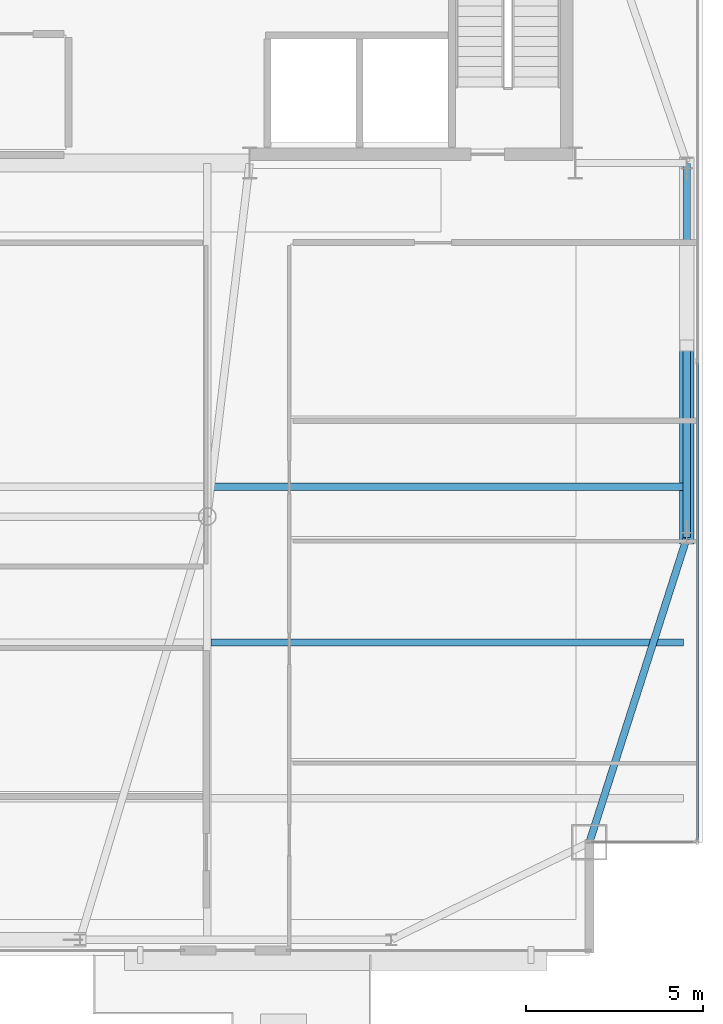
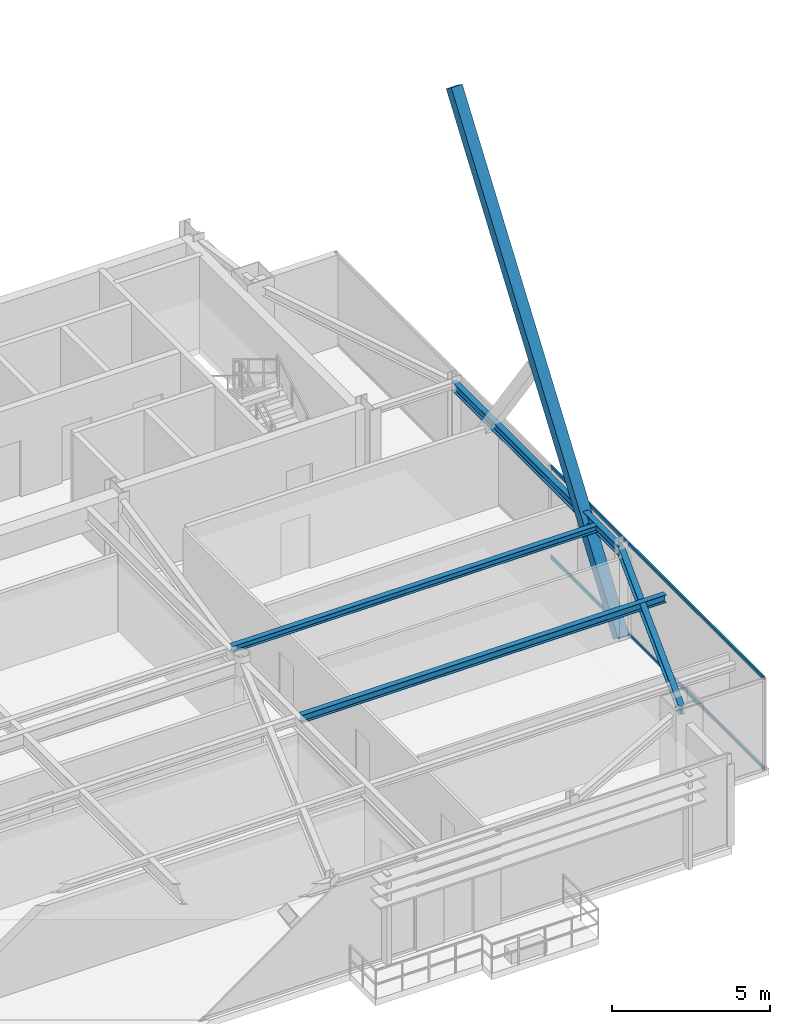
# One storey, part 13 of 25: 4 beams, 3 members, 1 element without a shape of its own.
"""IFC4 building model written with IfcOpenShell, lengths in metres."""

from ifc_helpers import new_model, si_unit, direction, frame, origin, origin_2d, place, context, subcontext, project, spatial, hollow_rectangle, i_section, extrude, source, transform, mapped, material, layer, layer_set, material_profile, profile_set, type_object, type_shapes, element, aggregate, save


model = new_model("IFC4")

# Units and contexts
model_context = context("Model", 3, precision=1e-05, world=origin(), true_north=direction((0.0, 1.0)))
body_context = subcontext(model_context, "Body", "Model", "MODEL_VIEW")
ifc_project = project(units=[si_unit("LENGTHUNIT", "METRE"), si_unit("AREAUNIT", "SQUARE_METRE"), si_unit("VOLUMEUNIT", "CUBIC_METRE"), si_unit("PLANEANGLEUNIT", "RADIAN"), si_unit("MASSUNIT", "GRAM", prefix="KILO")], contexts=[model_context])

# Site, building, storey
site_placement = place(None, origin())
site = spatial("IfcSite", under=ifc_project, at=site_placement, CompositionType="ELEMENT")
building_placement = place(site_placement, origin())
building = spatial("IfcBuilding", under=site, at=building_placement, Name="Varnel Quay Broadcast Tower", CompositionType="ELEMENT")
storey_placement = place(building_placement, frame((0.0, 0.0, 273.60009765625)))
storey = spatial("IfcBuildingStorey", under=building, at=storey_placement, Name="L68", CompositionType="ELEMENT", Elevation=273.60009765625)

# Beams
ifc_material_1 = material(Name="Structural Steel CSA G40.21 350W", Category="steel")
ifc_material_profile_1 = material_profile(ifc_material_1, i_section(OverallWidth=0.205078125, OverallDepth=0.35400390625, WebThickness=0.009521484375, FlangeThickness=0.016845703125, FilletRadius=0.012939453125, at=origin_2d()), Name="W360X79")
ifc_profile_set_1 = profile_set([ifc_material_profile_1], Name="Structural Steel CSA G40.21 350W")
beam_type_1 = type_object("IfcBeamType", Name="Beam_W360X79", PredefinedType="SPANDREL", material=ifc_profile_set_1)
shared_shape_1 = source(origin(), body_context, "Body", "SweptSolid", [
    extrude(i_section(OverallWidth=0.205078125, OverallDepth=0.35400390625, WebThickness=0.009521484375, FlangeThickness=0.016845703125, FilletRadius=0.012939453125, at=origin_2d()), origin(), (0.0, 0.0, 1.0), 8.989013671875),
])
beam_1_placement = place(storey_placement, frame((52.80615234375, 16.4189453125, 3.372802734375), z_axis=(0.304568770162, 0.952490348635, 0.0), x_axis=(-0.952490348635, 0.304568770162, 0.0)))
element("IfcBeam", 1, at=beam_1_placement, inside=storey, type_object=beam_type_1, Name="L68 East Spandrel MC-SE-TC-E1", PredefinedType="SPANDREL", context=body_context, shape_type="MappedRepresentation", body=[
    mapped(shared_shape_1, transform((0.0, 0.0, 0.0), x_axis=(1.0, 0.0, 0.0), y_axis=(0.0, 1.0, 0.0), z_axis=(0.0, 0.0, 1.0), scale=1.0)),
])
shared_shape_2 = source(origin(), body_context, "Body", "SweptSolid", [
    extrude(i_section(OverallWidth=0.205078125, OverallDepth=0.35400390625, WebThickness=0.009521484375, FlangeThickness=0.016845703125, FilletRadius=0.012939453125, at=origin_2d()), origin(), (0.0, 0.0, 1.0), 10.56005859375),
])
type_shapes(beam_type_1, [shared_shape_1, shared_shape_2])
beam_2_placement = place(storey_placement, frame((55.550048828125, 25.02001953125, 3.372802734375), z_axis=(0.0, 1.0, 0.0), x_axis=(-1.0, 0.0, 0.0)))
element("IfcBeam", 2, at=beam_2_placement, inside=storey, type_object=beam_type_1, Name="L68 East Spandrel TC-E1-TC-E2", PredefinedType="SPANDREL", context=body_context, shape_type="MappedRepresentation", body=[
    mapped(shared_shape_2, transform((0.0, 0.0, 0.0), x_axis=(1.0, 0.0, 0.0), y_axis=(0.0, 1.0, 0.0), z_axis=(0.0, 0.0, 1.0), scale=1.0)),
])
ifc_material_profile_2 = material_profile(ifc_material_1, i_section(OverallWidth=0.201904296875, OverallDepth=0.2470703125, WebThickness=0.00732421875, FlangeThickness=0.010986328125, FilletRadius=0.010986328125, at=origin_2d()), Name="W250X49")
ifc_profile_set_2 = profile_set([ifc_material_profile_2], Name="Structural Steel CSA G40.21 350W")
beam_type_2 = type_object("IfcBeamType", Name="Beam_W250X49", PredefinedType="JOIST", material=ifc_profile_set_2)
shared_shape_3 = source(origin(), body_context, "Body", "SweptSolid", [
    extrude(i_section(OverallWidth=0.201904296875, OverallDepth=0.2470703125, WebThickness=0.00732421875, FlangeThickness=0.010986328125, FilletRadius=0.010986328125, at=origin_2d()), origin(), (0.0, 0.0, 1.0), 13.351318359375),
])
type_shapes(beam_type_2, [shared_shape_3])
beam_3_placement = place(storey_placement, frame((42.10107421875, 26.449951171875, 3.426513671875), z_axis=(1.0, 0.0, 0.0), x_axis=(0.0, 1.0, 0.0)))
element("IfcBeam", 3, at=beam_3_placement, inside=storey, type_object=beam_type_2, Name="L68 East Floor Joist 3", PredefinedType="JOIST", context=body_context, shape_type="MappedRepresentation", body=[
    mapped(shared_shape_3, transform((0.0, 0.0, 0.0), x_axis=(1.0, 0.0, 0.0), y_axis=(0.0, 1.0, 0.0), z_axis=(0.0, 0.0, 1.0), scale=1.0)),
])
ifc_material_profile_3 = material_profile(ifc_material_1, i_section(OverallWidth=0.202880859375, OverallDepth=0.302978515625, WebThickness=0.007568359375, FlangeThickness=0.01318359375, FilletRadius=0.011962890625, at=origin_2d()), Name="W310X60")
ifc_profile_set_3 = profile_set([ifc_material_profile_3], Name="Structural Steel CSA G40.21 350W")
beam_type_3 = type_object("IfcBeamType", Name="Beam_W310X60", PredefinedType="JOIST", material=ifc_profile_set_3)
shared_shape_4 = source(origin(), body_context, "Body", "SweptSolid", [
    extrude(i_section(OverallWidth=0.202880859375, OverallDepth=0.302978515625, WebThickness=0.007568359375, FlangeThickness=0.01318359375, FilletRadius=0.011962890625, at=origin_2d()), origin(), (0.0, 0.0, 1.0), 13.351318359375),
])
type_shapes(beam_type_3, [shared_shape_4])
beam_4_placement = place(storey_placement, frame((42.10107421875, 22.050048828125, 3.3984375), z_axis=(1.0, 0.0, 0.0), x_axis=(0.0, 1.0, 0.0)))
element("IfcBeam", 4, at=beam_4_placement, inside=storey, type_object=beam_type_3, Name="L68 East Floor Joist 2", PredefinedType="JOIST", context=body_context, shape_type="MappedRepresentation", body=[
    mapped(shared_shape_4, transform((0.0, 0.0, 0.0), x_axis=(1.0, 0.0, 0.0), y_axis=(0.0, 1.0, 0.0), z_axis=(0.0, 0.0, 1.0), scale=1.0)),
])

# Member
ifc_material_profile_4 = material_profile(ifc_material_1, hollow_rectangle(XDim=0.406005859375, YDim=0.406005859375, WallThickness=0.01611328125, at=origin_2d()), Name="HSS406X406X16")
ifc_profile_set_4 = profile_set([ifc_material_profile_4], Name="Structural Steel CSA G40.21 350W")
member_type_1 = type_object("IfcMemberType", Name="Brace_HSS406X406X16", PredefinedType="BRACE", material=ifc_profile_set_4)
shared_shape_5 = source(origin(), body_context, "Body", "SweptSolid", [
    extrude(hollow_rectangle(XDim=0.406005859375, YDim=0.406005859375, WallThickness=0.01611328125, at=origin_2d()), origin(), (0.0, 0.0, 1.0), 18.2939453125),
])
type_shapes(member_type_1, [shared_shape_5])
member_1_placement = place(storey_placement, frame((55.550048828125, 25.0, 0.02001953125), z_axis=(0.0, 0.579432785068, 0.815020028949), x_axis=(-1.0, 0.0, 0.0)))
element("IfcMember", 5, at=member_1_placement, inside=storey, type_object=member_type_1, Name="Zone 5 Mega-Brace E-FT2 Continuous Diag A", PredefinedType="BRACE", context=body_context, shape_type="MappedRepresentation", body=[
    mapped(shared_shape_5, transform((0.0, 0.0, 0.0), x_axis=(1.0, 0.0, 0.0), y_axis=(0.0, 1.0, 0.0), z_axis=(0.0, 0.0, 1.0), scale=1.0)),
])

# Curtain wall, members
ifc_material_2 = material(Name="Anodised Bronze Aluminium 6063-T6", Category="aluminium")
ifc_layer = layer(ifc_material_2, 0.18994140625, Name="Anodised Bronze Aluminium 6063-T6")
ifc_layer_set = layer_set([ifc_layer], Name="Anodised Bronze Aluminium 6063-T6")
curtain_wall_type = type_object("IfcCurtainWallType", Name="CW_UpperTower", PredefinedType="NOTDEFINED", material=ifc_layer_set)
curtain_wall_placement = place(storey_placement, origin())
curtain_wall = element("IfcCurtainWall", 6, at=curtain_wall_placement, inside=storey, type_object=curtain_wall_type, Name="L68 East Unitised Curtain Wall", PredefinedType="NOTDEFINED")
ifc_material_profile_5 = material_profile(ifc_material_2, hollow_rectangle(XDim=0.06005859375, YDim=0.125, WallThickness=0.0029296875, at=origin_2d()), Name="ALU60X125X3")
ifc_profile_set_5 = profile_set([ifc_material_profile_5], Name="Anodised Bronze Aluminium 6063-T6")
member_type_2 = type_object("IfcMemberType", Name="Tran_CWS-03", PredefinedType="USERDEFINED", material=ifc_profile_set_5)
shared_shape_6 = source(origin(), body_context, "Body", "SweptSolid", [
    extrude(hollow_rectangle(XDim=0.06005859375, YDim=0.125, WallThickness=0.0029296875, at=origin_2d()), origin(), (0.0, 0.0, 1.0), 13.50244140625),
])
type_shapes(member_type_2, [shared_shape_6])
member_2_placement = place(storey_placement, frame((55.85009765625, 16.465087890625, 0.02978515625), z_axis=(0.0, 1.0, 0.0), x_axis=(-1.0, 0.0, 0.0)))
member_2 = element("IfcMember", 7, at=member_2_placement, type_object=member_type_2, Name="CWS-03 transom 1.1", ObjectType="TRANSOM", PredefinedType="USERDEFINED", context=body_context, shape_type="MappedRepresentation", body=[
    mapped(shared_shape_6, transform((0.0, 0.0, 0.0), x_axis=(1.0, 0.0, 0.0), y_axis=(0.0, 1.0, 0.0), z_axis=(0.0, 0.0, 1.0), scale=1.0)),
])
member_3_placement = place(storey_placement, frame((55.85009765625, 16.465087890625, 3.52001953125), z_axis=(0.0, 1.0, 0.0), x_axis=(-1.0, 0.0, 0.0)))
member_3 = element("IfcMember", 8, at=member_3_placement, type_object=member_type_2, Name="CWS-03 transom 1.2", ObjectType="TRANSOM", PredefinedType="USERDEFINED", context=body_context, shape_type="MappedRepresentation", body=[
    mapped(shared_shape_6, transform((0.0, 0.0, 0.0), x_axis=(1.0, 0.0, 0.0), y_axis=(0.0, 1.0, 0.0), z_axis=(0.0, 0.0, 1.0), scale=1.0)),
])
aggregate(curtain_wall, [member_2, member_3])

save(model, "model.ifc")
